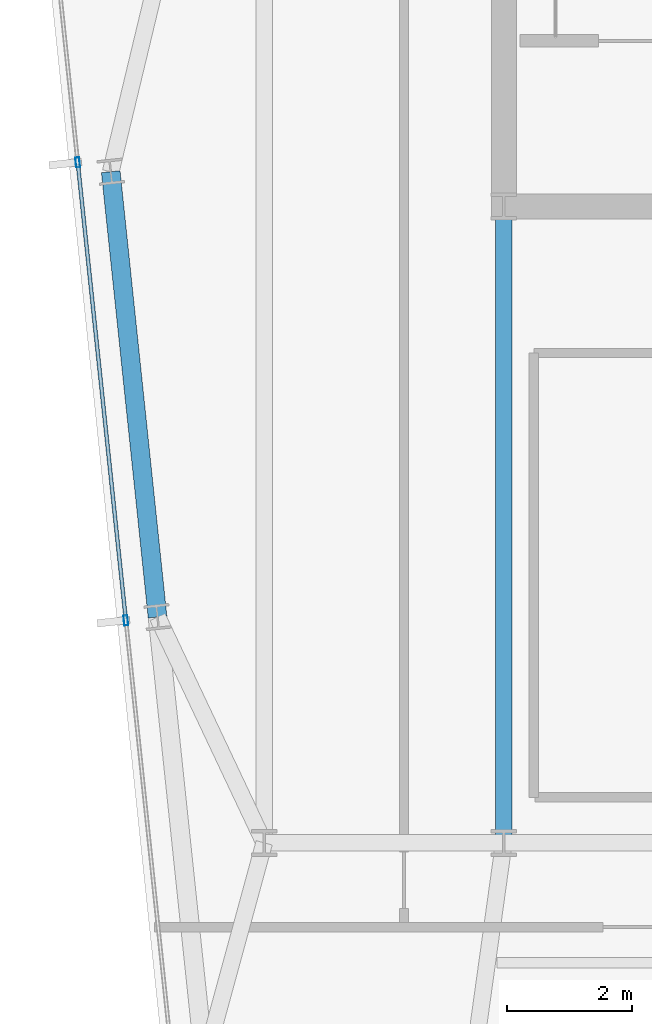
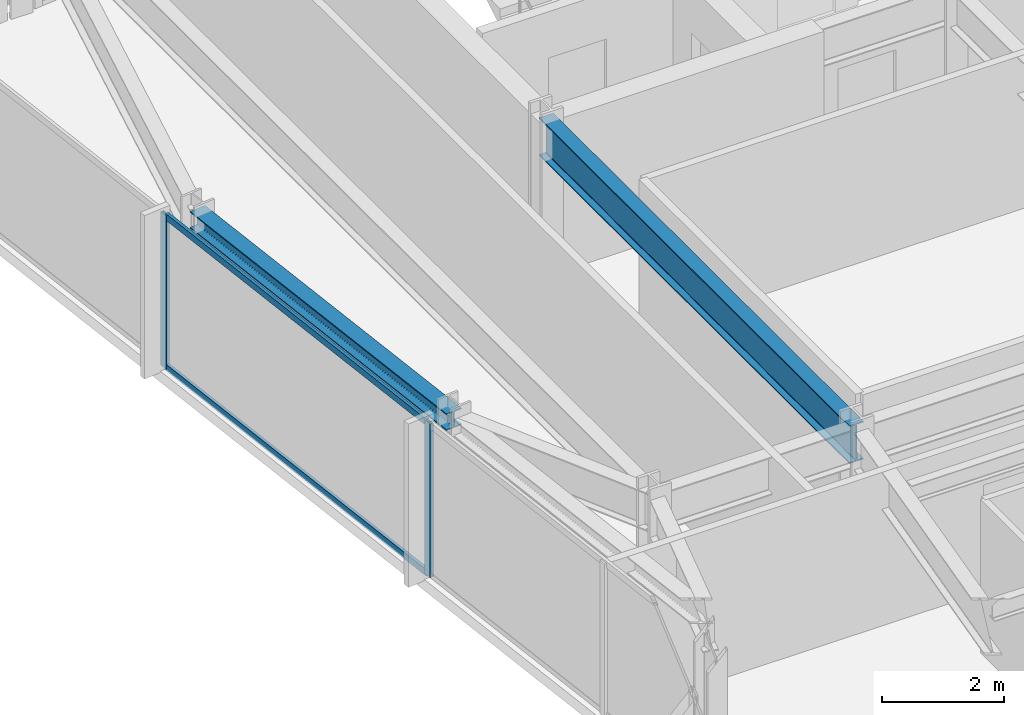
# One storey, part 10 of 33: 4 members, 2 beams, 1 element without a shape of its own.
"""IFC4 building model written with IfcOpenShell, lengths in metres."""

from ifc_helpers import new_model, si_unit, direction, frame, origin, origin_2d, place, context, subcontext, project, spatial, hollow_rectangle, i_section, extrude, material, material_profile, profile_set, type_object, element, aggregate, save


model = new_model("IFC4")

# Units and contexts
model_context = context("Model", 3, precision=1e-05, world=origin(), true_north=direction((0.0, 1.0)))
body_context = subcontext(model_context, "Body", "Model", "MODEL_VIEW")
ifc_project = project(units=[si_unit("LENGTHUNIT", "METRE"), si_unit("AREAUNIT", "SQUARE_METRE"), si_unit("VOLUMEUNIT", "CUBIC_METRE"), si_unit("PLANEANGLEUNIT", "RADIAN"), si_unit("MASSUNIT", "GRAM", prefix="KILO")], contexts=[model_context])

# Site, building, storey
site_placement = place(None, origin())
site = spatial("IfcSite", under=ifc_project, at=site_placement, CompositionType="ELEMENT")
building_placement = place(site_placement, origin())
building = spatial("IfcBuilding", under=site, at=building_placement, Name="Yelkora Congress Tower", CompositionType="ELEMENT")
storey_placement = place(building_placement, frame((0.0, 0.0, 221.0)))
storey = spatial("IfcBuildingStorey", under=building, at=storey_placement, Name="L61", CompositionType="ELEMENT", Elevation=221.0)

# Beams
ifc_material_1 = material(Name="Steel S355J2", Category="steel")
ifc_material_profile_1 = material_profile(ifc_material_1, i_section(OverallWidth=0.26708984375, OverallDepth=0.761962890625, WebThickness=0.014404296875, FlangeThickness=0.021484375, FilletRadius=0.01708984375, at=origin_2d()), Name="IPE 750x173")
ifc_profile_set_1 = profile_set([ifc_material_profile_1], Name="Steel S355J2")
beam_type_1 = type_object("IfcBeamType", Name="BM-GIRD-IPE750", PredefinedType="BEAM", material=ifc_profile_set_1)
beam_1_placement = place(storey_placement, frame((23.0400390625, 25.199951171875, 2.698974609375), z_axis=(0.0, 1.0, 0.0), x_axis=(-1.0, 0.0, 0.0)))
element("IfcBeam", 1, at=beam_1_placement, inside=storey, type_object=beam_type_1, Name="L61 Core Tie Girder MC-D1", PredefinedType="BEAM", context=body_context, shape_type="SweptSolid", body=[
    extrude(i_section(OverallWidth=0.26708984375, OverallDepth=0.761962890625, WebThickness=0.014404296875, FlangeThickness=0.021484375, FilletRadius=0.01708984375, at=origin_2d()), origin(), (0.0, 0.0, 1.0), 10.199951171875),
])
ifc_material_profile_2 = material_profile(ifc_material_1, i_section(OverallWidth=0.300048828125, OverallDepth=0.340087890625, WebThickness=0.011962890625, FlangeThickness=0.021484375, FilletRadius=0.027099609375, at=origin_2d()), Name="HEB 340")
ifc_profile_set_2 = profile_set([ifc_material_profile_2], Name="Steel S355J2")
beam_type_2 = type_object("IfcBeamType", Name="BM-SPAN-HEB340", PredefinedType="SPANDREL", material=ifc_profile_set_2)
beam_2_placement = place(storey_placement, frame((16.7412109375, 35.95458984375, 2.909912109375), z_axis=(0.104528914631, -0.994521847928, 0.0), x_axis=(0.994521847928, 0.104528914631, 0.0)))
element("IfcBeam", 2, at=beam_2_placement, inside=storey, type_object=beam_type_2, Name="L61 Perimeter Beam 17", PredefinedType="SPANDREL", context=body_context, shape_type="SweptSolid", body=[
    extrude(i_section(OverallWidth=0.300048828125, OverallDepth=0.340087890625, WebThickness=0.011962890625, FlangeThickness=0.021484375, FilletRadius=0.027099609375, at=origin_2d()), origin(), (0.0, 0.0, 1.0), 7.175048828125),
])

# Curtain wall, members
ifc_material_2 = material(Name="Anodised aluminium and insulated glass", Category="aluminium")
curtain_wall_type = type_object("IfcCurtainWallType", Name="CW-SYS-B4", PredefinedType="NOTDEFINED", material=ifc_material_2)
curtain_wall_placement = place(storey_placement, origin())
curtain_wall = element("IfcCurtainWall", 3, at=curtain_wall_placement, inside=storey, type_object=curtain_wall_type, Name="L61 Unitised Curtain Wall 5", PredefinedType="NOTDEFINED")
ifc_material_3 = material(Name="Anodised aluminium 6063-T6", Category="aluminium")
ifc_material_profile_3 = material_profile(ifc_material_3, hollow_rectangle(XDim=0.06494140625, YDim=0.159912109375, WallThickness=0.00390625, at=origin_2d()), Name="ALU 65x160x4")
ifc_profile_set_3 = profile_set([ifc_material_profile_3], Name="Anodised aluminium 6063-T6")
member_type_1 = type_object("IfcMemberType", Name="MEM-ML-B4", PredefinedType="MULLION", material=ifc_profile_set_3)
member_1_placement = place(storey_placement, frame((16.98388671875, 28.765625, 0.0), z_axis=(0.0, 0.0, 1.0), x_axis=(-0.994522145958, -0.104526079034, 0.0)))
member_1 = element("IfcMember", 4, at=member_1_placement, type_object=member_type_1, Name="CW-B4 mullion 3", PredefinedType="MULLION", context=body_context, shape_type="SweptSolid", body=[
    extrude(hollow_rectangle(XDim=0.06494140625, YDim=0.159912109375, WallThickness=0.00390625, at=origin_2d()), origin(), (0.0, 0.0, 1.0), 3.080078125),
])
member_2_placement = place(storey_placement, frame((16.21240234375, 36.105224609375, 0.0), z_axis=(0.0, 0.0, 1.0), x_axis=(-0.994522145958, -0.104526079034, 0.0)))
member_2 = element("IfcMember", 5, at=member_2_placement, type_object=member_type_1, Name="CW-B4 mullion 4", PredefinedType="MULLION", context=body_context, shape_type="SweptSolid", body=[
    extrude(hollow_rectangle(XDim=0.06494140625, YDim=0.159912109375, WallThickness=0.00390625, at=origin_2d()), origin(), (0.0, 0.0, 1.0), 3.080078125),
])
ifc_material_profile_4 = material_profile(ifc_material_3, hollow_rectangle(XDim=0.06005859375, YDim=0.1298828125, WallThickness=0.00390625, at=origin_2d()), Name="ALU 60x130x4")
ifc_profile_set_4 = profile_set([ifc_material_profile_4], Name="Anodised aluminium 6063-T6")
member_type_2 = type_object("IfcMemberType", Name="MEM-TR-B4", PredefinedType="USERDEFINED", material=ifc_profile_set_4)
member_3_placement = place(storey_placement, frame((16.98046875, 28.7978515625, 0.030029296875), z_axis=(-0.104531896307, 0.994521534535, 0.0), x_axis=(-0.994521534535, -0.104531896307, 0.0)))
member_3 = element("IfcMember", 6, at=member_3_placement, type_object=member_type_2, Name="CW-B4 transom 3.1", ObjectType="TRANSOM", PredefinedType="USERDEFINED", context=body_context, shape_type="SweptSolid", body=[
    extrude(hollow_rectangle(XDim=0.06005859375, YDim=0.1298828125, WallThickness=0.00390625, at=origin_2d()), origin(), (0.0, 0.0, 1.0), 7.31494140625),
])
member_4_placement = place(storey_placement, frame((16.98046875, 28.7978515625, 3.050048828125), z_axis=(-0.104531896307, 0.994521534535, 0.0), x_axis=(-0.994521534535, -0.104531896307, 0.0)))
member_4 = element("IfcMember", 7, at=member_4_placement, type_object=member_type_2, Name="CW-B4 transom 3.2", ObjectType="TRANSOM", PredefinedType="USERDEFINED", context=body_context, shape_type="SweptSolid", body=[
    extrude(hollow_rectangle(XDim=0.06005859375, YDim=0.1298828125, WallThickness=0.00390625, at=origin_2d()), origin(), (0.0, 0.0, 1.0), 7.31494140625),
])
aggregate(curtain_wall, [member_1, member_2, member_3, member_4])

save(model, "model.ifc")
